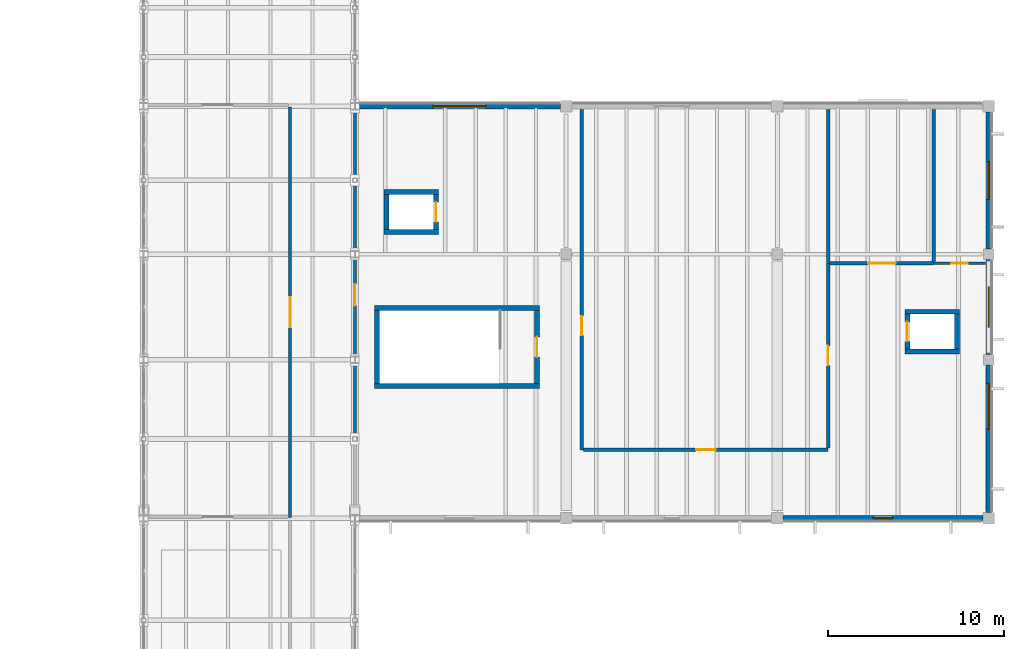
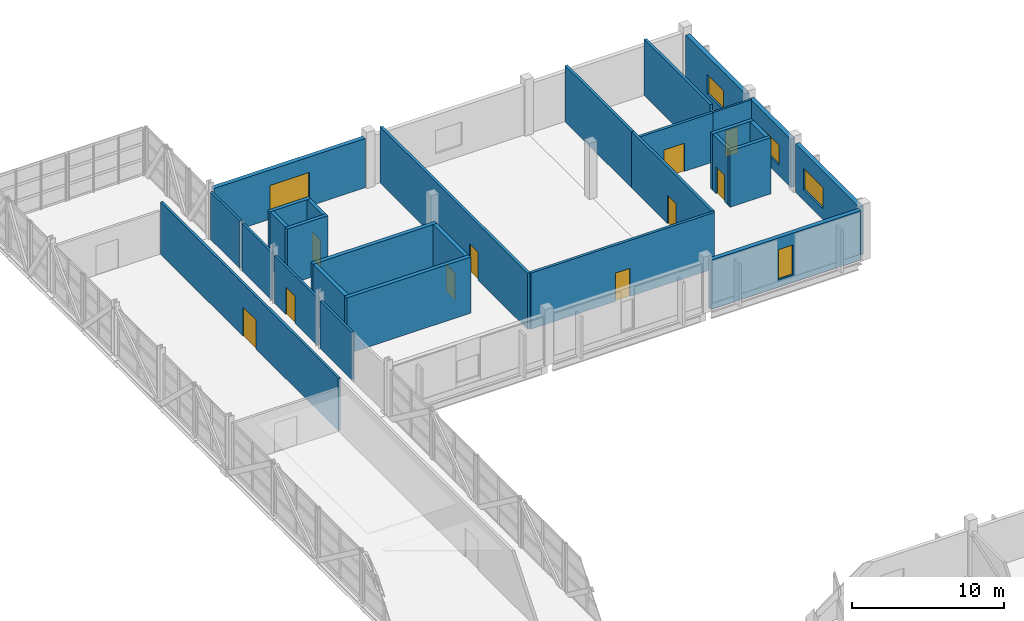
# One storey, part 50 of 63: 29 walls, 10 doors, 5 windows, 15 openings.
"""IFC4 building model written with IfcOpenShell, lengths in metres."""

from ifc_helpers import new_model, si_unit, direction, frame, frame_2d, origin, place, context, subcontext, project, spatial, rectangle, extrude, material, layer, layer_set, type_object, element, fill, save


model = new_model("IFC4")

# Units and contexts
model_context = context("Model", 3, precision=1e-05, world=origin(), true_north=direction((0.0, 1.0)))
body_context = subcontext(model_context, "Body", "Model", "MODEL_VIEW")
ifc_project = project(units=[si_unit("LENGTHUNIT", "METRE"), si_unit("AREAUNIT", "SQUARE_METRE"), si_unit("VOLUMEUNIT", "CUBIC_METRE"), si_unit("PLANEANGLEUNIT", "RADIAN"), si_unit("MASSUNIT", "GRAM", prefix="KILO")], contexts=[model_context])

# Site, building, storey
site_placement = place(None, origin())
site = spatial("IfcSite", under=ifc_project, at=site_placement, CompositionType="ELEMENT")
building_placement = place(site_placement, origin())
building = spatial("IfcBuilding", under=site, at=building_placement, Name="Kelmvaro Bay Concert Hall", CompositionType="ELEMENT")
storey_placement = place(building_placement, frame((0.0, 0.0, 13.800048828125)))
storey = spatial("IfcBuildingStorey", under=building, at=storey_placement, Name="L03", CompositionType="ELEMENT", Elevation=13.800048828125)

# Wall, opening, window
ifc_material_1 = material(Name="Precast Concrete C40/50", Category="concrete")
ifc_layer_1 = layer(ifc_material_1, 0.320068359375)
ifc_layer_set_1 = layer_set([ifc_layer_1], Name="Precast Concrete C40/50")
wall_type_1 = type_object("IfcWallType", Name="Chamber Pavilion Precast Wall 320", PredefinedType="SOLIDWALL", material=ifc_layer_set_1)
wall_1_placement = place(storey_placement, frame((167.675048828125, 73.800048828125, 0.0), z_axis=(0.0, 0.0, 1.0), x_axis=(-1.0, 0.0, 0.0)))
wall_1 = element("IfcWall", 1, at=wall_1_placement, inside=storey, type_object=wall_type_1, Name="L03 Exterior Wall EW-L03-0149", PredefinedType="SOLIDWALL", context=body_context, shape_type="SweptSolid", body=[
    extrude(rectangle(XDim=11.35009765625, YDim=0.320068359375, at=frame_2d((5.675048828125, 0.0))), origin(), (0.0, 0.0, 1.0), 3.94384765625),
])
opening_1_placement = place(wall_1_placement, frame((5.125, 0.0, 0.60009765625)))
opening_1 = element("IfcOpeningElement", 2, at=opening_1_placement, cuts=wall_1, Name="Opening WN-14", PredefinedType="OPENING", context=body_context, shape_type="SweptSolid", body=[
    extrude(rectangle(XDim=1.10009765625, YDim=2.39990234375, at=frame_2d((0.550048828125, 1.199951171875))), frame((0.0, 0.169921875, 0.0), z_axis=(0.0, -1.0, 0.0), x_axis=(1.0, 0.0, 0.0)), (0.0, 0.0, 1.0), 0.340087890625),
])
ifc_material_2 = material(Name="Thermally Broken Aluminium and Acoustic Low-E Glass", Category="aluminium")
window_type_1 = type_object("IfcWindowType", Name="Salon Vertical Slot Window 1100x2400", PartitioningType="SINGLE_PANEL", PredefinedType="WINDOW", material=ifc_material_2)
window_1_placement = place(opening_1_placement, origin())
window_1 = element("IfcWindow", 3, at=window_1_placement, inside=storey, type_object=window_type_1, Name="L03 Facade Window WN-L03-0069", OverallHeight=2.39990234375, OverallWidth=1.10009765625, PartitioningType="SINGLE_PANEL", PredefinedType="WINDOW", context=body_context, shape_type="SweptSolid", body=[
    extrude(rectangle(XDim=1.10009765625, YDim=2.39990234375, at=frame_2d((0.550048828125, 1.199951171875))), frame((0.0, 0.030029296875, 0.0), z_axis=(0.0, -1.0, 0.0), x_axis=(1.0, 0.0, 0.0)), (0.0, 0.0, 1.0), 0.06005859375),
])
fill(opening_1, window_1)

wall_2_placement = place(storey_placement, frame((132.200439453125, 97.199951171875, 0.0), z_axis=(0.0, 0.0, 1.0), x_axis=(1.0, 0.0, 0.0)))
wall_2 = element("IfcWall", 4, at=wall_2_placement, inside=storey, type_object=wall_type_1, Name="L03 Exterior Wall EW-L03-0150", PredefinedType="SOLIDWALL", context=body_context, shape_type="SweptSolid", body=[
    extrude(rectangle(XDim=11.474609375, YDim=0.320068359375, at=frame_2d((5.7373046875, 0.0))), origin(), (0.0, 0.0, 1.0), 3.94384765625),
])
opening_2_placement = place(wall_2_placement, frame((4.2373046875, 0.0, 0.60009765625)))
opening_2 = element("IfcOpeningElement", 5, at=opening_2_placement, cuts=wall_2, Name="Opening WN-15", PredefinedType="OPENING", context=body_context, shape_type="SweptSolid", body=[
    extrude(rectangle(XDim=3.0, YDim=2.10009765625, at=frame_2d((1.5, 1.050048828125))), frame((0.0, 0.169921875, 0.0), z_axis=(0.0, -1.0, 0.0), x_axis=(1.0, 0.0, 0.0)), (0.0, 0.0, 1.0), 0.340087890625),
])
ifc_material_3 = material(Name="Thermally Broken Aluminium and Acoustic Low-E Glass", Category="aluminium")
window_type_2 = type_object("IfcWindowType", Name="Composer Studio Picture Window 3000x2100", PartitioningType="SINGLE_PANEL", PredefinedType="WINDOW", material=ifc_material_3)
window_2_placement = place(opening_2_placement, origin())
window_2 = element("IfcWindow", 6, at=window_2_placement, inside=storey, type_object=window_type_2, Name="L03 Facade Window WN-L03-0070", OverallHeight=2.10009765625, OverallWidth=3.0, PartitioningType="SINGLE_PANEL", PredefinedType="WINDOW", context=body_context, shape_type="SweptSolid", body=[
    extrude(rectangle(XDim=3.0, YDim=2.10009765625, at=frame_2d((1.5, 1.050048828125))), frame((0.0, 0.030029296875, 0.0), z_axis=(0.0, -1.0, 0.0), x_axis=(1.0, 0.0, 0.0)), (0.0, 0.0, 1.0), 0.06005859375),
])
fill(opening_2, window_2)

wall_3_placement = place(storey_placement, frame((168.0, 82.5, 0.0), z_axis=(0.0, 0.0, 1.0), x_axis=(0.0, -1.0, 0.0)))
wall_3 = element("IfcWall", 7, at=wall_3_placement, inside=storey, type_object=wall_type_1, Name="L03 Exterior Wall EW-L03-0153", PredefinedType="SOLIDWALL", context=body_context, shape_type="SweptSolid", body=[
    extrude(rectangle(XDim=8.375, YDim=0.320068359375, at=frame_2d((4.1875, 0.0))), origin(), (0.0, 0.0, 1.0), 3.868896484375),
])
opening_3_placement = place(wall_3_placement, frame((1.044921875, 0.0, 0.85009765625)))
opening_3 = element("IfcOpeningElement", 8, at=opening_3_placement, cuts=wall_3, Name="Opening WN-17", PredefinedType="OPENING", context=body_context, shape_type="SweptSolid", body=[
    extrude(rectangle(XDim=2.60009765625, YDim=1.699951171875, at=frame_2d((1.300048828125, 0.85009765625))), frame((0.0, 0.169921875, 0.0), z_axis=(0.0, -1.0, 0.0), x_axis=(1.0, 0.0, 0.0)), (0.0, 0.0, 1.0), 0.340087890625),
])
ifc_material_4 = material(Name="Thermally Broken Aluminium and Acoustic Low-E Glass", Category="aluminium")
window_type_3 = type_object("IfcWindowType", Name="Luthiery North-Light Window 2600x1700", PartitioningType="SINGLE_PANEL", PredefinedType="WINDOW", material=ifc_material_4)
window_3_placement = place(opening_3_placement, origin())
window_3 = element("IfcWindow", 9, at=window_3_placement, inside=storey, type_object=window_type_3, Name="L03 Facade Window WN-L03-0072", OverallHeight=1.699951171875, OverallWidth=2.60009765625, PartitioningType="SINGLE_PANEL", PredefinedType="WINDOW", context=body_context, shape_type="SweptSolid", body=[
    extrude(rectangle(XDim=2.60009765625, YDim=1.699951171875, at=frame_2d((1.300048828125, 0.85009765625))), frame((0.0, 0.030029296875, 0.0), z_axis=(0.0, -1.0, 0.0), x_axis=(1.0, 0.0, 0.0)), (0.0, 0.0, 1.0), 0.06005859375),
])
fill(opening_3, window_3)

wall_4_placement = place(storey_placement, frame((168.0, 88.5, 0.0), z_axis=(0.0, 0.0, 1.0), x_axis=(0.0, -1.0, 0.0)))
wall_4 = element("IfcWall", 10, at=wall_4_placement, inside=storey, type_object=wall_type_1, Name="L03 Exterior Wall EW-L03-0154", PredefinedType="SOLIDWALL", context=body_context, shape_type="SweptSolid", body=[
    extrude(rectangle(XDim=5.39990234375, YDim=0.320068359375, at=frame_2d((2.699951171875, 0.0))), origin(), (0.0, 0.0, 1.0), 3.867919921875),
])
opening_4_placement = place(wall_4_placement, frame((1.550048828125, 0.0, 0.85009765625)))
opening_4 = element("IfcOpeningElement", 11, at=opening_4_placement, cuts=wall_4, Name="Opening WN-18", PredefinedType="OPENING", context=body_context, shape_type="SweptSolid", body=[
    extrude(rectangle(XDim=2.300048828125, YDim=1.60009765625, at=frame_2d((1.14990234375, 0.800048828125))), frame((0.0, 0.169921875, 0.0), z_axis=(0.0, -1.0, 0.0), x_axis=(1.0, 0.0, 0.0)), (0.0, 0.0, 1.0), 0.340087890625),
])
ifc_material_5 = material(Name="Thermally Broken Aluminium and Acoustic Low-E Glass", Category="aluminium")
window_type_4 = type_object("IfcWindowType", Name="Folio Library Reading Window 2300x1600", PartitioningType="SINGLE_PANEL", PredefinedType="WINDOW", material=ifc_material_5)
window_4_placement = place(opening_4_placement, origin())
window_4 = element("IfcWindow", 12, at=window_4_placement, inside=storey, type_object=window_type_4, Name="L03 Facade Window WN-L03-0073", OverallHeight=1.60009765625, OverallWidth=2.300048828125, PartitioningType="SINGLE_PANEL", PredefinedType="WINDOW", context=body_context, shape_type="SweptSolid", body=[
    extrude(rectangle(XDim=2.300048828125, YDim=1.60009765625, at=frame_2d((1.14990234375, 0.800048828125))), frame((0.0, 0.030029296875, 0.0), z_axis=(0.0, -1.0, 0.0), x_axis=(1.0, 0.0, 0.0)), (0.0, 0.0, 1.0), 0.06005859375),
])
fill(opening_4, window_4)

wall_5_placement = place(storey_placement, frame((168.0, 96.875, 0.0), z_axis=(0.0, 0.0, 1.0), x_axis=(0.0, -1.0, 0.0)))
wall_5 = element("IfcWall", 13, at=wall_5_placement, inside=storey, type_object=wall_type_1, Name="L03 Exterior Wall EW-L03-0155", PredefinedType="SOLIDWALL", context=body_context, shape_type="SweptSolid", body=[
    extrude(rectangle(XDim=7.77490234375, YDim=0.320068359375, at=frame_2d((3.887451171875, 0.0))), origin(), (0.0, 0.0, 1.0), 3.867919921875),
])
opening_5_placement = place(wall_5_placement, frame((2.8125, 0.0, 0.85009765625)))
opening_5 = element("IfcOpeningElement", 14, at=opening_5_placement, cuts=wall_5, Name="Opening WN-19", PredefinedType="OPENING", context=body_context, shape_type="SweptSolid", body=[
    extrude(rectangle(XDim=2.14990234375, YDim=1.550048828125, at=frame_2d((1.074951171875, 0.77490234375))), frame((0.0, 0.169921875, 0.0), z_axis=(0.0, -1.0, 0.0), x_axis=(1.0, 0.0, 0.0)), (0.0, 0.0, 1.0), 0.340087890625),
])
ifc_material_6 = material(Name="Thermally Broken Aluminium and Acoustic Low-E Glass", Category="aluminium")
window_type_5 = type_object("IfcWindowType", Name="Soundtrack Studio Window 2150x1550", PartitioningType="SINGLE_PANEL", PredefinedType="WINDOW", material=ifc_material_6)
window_5_placement = place(opening_5_placement, origin())
window_5 = element("IfcWindow", 15, at=window_5_placement, inside=storey, type_object=window_type_5, Name="L03 Facade Window WN-L03-0074", OverallHeight=1.550048828125, OverallWidth=2.14990234375, PartitioningType="SINGLE_PANEL", PredefinedType="WINDOW", context=body_context, shape_type="SweptSolid", body=[
    extrude(rectangle(XDim=2.14990234375, YDim=1.550048828125, at=frame_2d((1.074951171875, 0.77490234375))), frame((0.0, 0.030029296875, 0.0), z_axis=(0.0, -1.0, 0.0), x_axis=(1.0, 0.0, 0.0)), (0.0, 0.0, 1.0), 0.06005859375),
])
fill(opening_5, window_5)

# Wall
ifc_material_7 = material(Name="Acoustic Gypsum Board on Galvanised Steel Studs", Category="steel")
ifc_layer_2 = layer(ifc_material_7, 0.169921875)
ifc_layer_set_2 = layer_set([ifc_layer_2], Name="Acoustic Gypsum Board on Galvanised Steel Studs")
wall_type_2 = type_object("IfcWallType", Name="Corridor Fire Compartment Partition 170", PredefinedType="PARTITIONING", material=ifc_layer_set_2)
wall_6_placement = place(storey_placement, frame((132.0, 78.447998046875, 0.0), z_axis=(0.0, 0.0, 1.0), x_axis=(0.0, 1.0, 0.0)))
element("IfcWall", 16, at=wall_6_placement, inside=storey, type_object=wall_type_2, Name="L03 Interior Partition PT-L03-0299", PredefinedType="PARTITIONING", context=body_context, shape_type="SweptSolid", body=[
    extrude(rectangle(XDim=4.14697265625, YDim=0.169921875, at=frame_2d((2.073486328125, 0.0))), origin(), (0.0, 0.0, 1.0), 3.801025390625),
])

# Wall, opening, door
wall_7_placement = place(storey_placement, frame((132.0, 83.0048828125, 0.0), z_axis=(0.0, 0.0, 1.0), x_axis=(0.0, 1.0, 0.0)))
wall_7 = element("IfcWall", 17, at=wall_7_placement, inside=storey, type_object=wall_type_2, Name="L03 Interior Partition PT-L03-0300", PredefinedType="PARTITIONING", context=body_context, shape_type="SweptSolid", body=[
    extrude(rectangle(XDim=5.590087890625, YDim=0.169921875, at=frame_2d((2.794921875, 0.0))), origin(), (0.0, 0.0, 1.0), 3.801025390625),
])
opening_6_placement = place(wall_7_placement, frame((2.8779296875, 0.0, 0.0)))
opening_6 = element("IfcOpeningElement", 18, at=opening_6_placement, cuts=wall_7, Name="Opening ID-ST2", PredefinedType="OPENING", context=body_context, shape_type="SweptSolid", body=[
    extrude(rectangle(XDim=1.219970703125, YDim=2.179931640625, at=frame_2d((0.60986328125, 1.08984375))), frame((0.0, 0.094970703125, 0.0), z_axis=(0.0, -1.0, 0.0), x_axis=(1.0, 0.0, 0.0)), (0.0, 0.0, 1.0), 0.18994140625),
])
ifc_material_8 = material(Name="Acoustic Oak and Fire Glass", Category="glass")
door_type_1 = type_object("IfcDoorType", Name="Core Lobby Smoke Control Door 1220x2180", OperationType="NOTDEFINED", PredefinedType="DOOR", material=ifc_material_8)
door_1_placement = place(opening_6_placement, origin())
door_1 = element("IfcDoor", 19, at=door_1_placement, inside=storey, type_object=door_type_1, Name="L03 Interior Door DR-INT-L03-0175", OperationType="SINGLE_SWING_LEFT", OverallHeight=2.179931640625, OverallWidth=1.219970703125, PredefinedType="DOOR", context=body_context, shape_type="SweptSolid", body=[
    extrude(rectangle(XDim=1.219970703125, YDim=2.179931640625, at=frame_2d((0.60986328125, 1.08984375))), frame((0.0, 0.02490234375, 0.0), z_axis=(0.0, -1.0, 0.0), x_axis=(1.0, 0.0, 0.0)), (0.0, 0.0, 1.0), 0.050048828125),
])
fill(opening_6, door_1)

# Walls
for number, where, z_axis, x_axis, name in (
    (20, (132.0, 89.0048828125, 0.0), (0.0, 0.0, 1.0), (0.0, 1.0, 0.0), "L03 Interior Partition PT-L03-0301"),
    (21, (132.0, 93.14794921875, 0.0), (0.0, 0.0, 1.0), (0.0, 1.0, 0.0), "L03 Interior Partition PT-L03-0302"),
):
    element("IfcWall", number, at=place(storey_placement, frame(where, z_axis=z_axis, x_axis=x_axis)), inside=storey, type_object=wall_type_2, Name=name, PredefinedType="PARTITIONING", context=body_context, shape_type="SweptSolid", body=[
        extrude(rectangle(XDim=3.84716796875, YDim=0.169921875, at=frame_2d((1.923583984375, 0.0))), origin(), (0.0, 0.0, 1.0), 3.801025390625),
    ])

# Wall, opening, door
ifc_material_9 = material(Name="Acoustic Gypsum Board on Galvanised Steel Studs", Category="steel")
ifc_layer_3 = layer(ifc_material_9, 0.199951171875)
ifc_layer_set_3 = layer_set([ifc_layer_3], Name="Acoustic Gypsum Board on Galvanised Steel Studs")
wall_type_3 = type_object("IfcWallType", Name="Double-Stud Acoustic Studio Partition 200", PredefinedType="PARTITIONING", material=ifc_layer_set_3)
wall_8_placement = place(storey_placement, frame((144.8798828125, 77.675048828125, 0.0), z_axis=(0.0, 0.0, 1.0), x_axis=(0.0, 1.0, 0.0)))
wall_8 = element("IfcWall", 22, at=wall_8_placement, inside=storey, type_object=wall_type_3, Name="L03 Interior Partition PT-L03-0312", PredefinedType="PARTITIONING", context=body_context, shape_type="SweptSolid", body=[
    extrude(rectangle(XDim=19.35498046875, YDim=0.199951171875, at=frame_2d((9.677490234375, 0.0))), origin(), (0.0, 0.0, 1.0), 4.5),
])
opening_7_placement = place(wall_8_placement, frame((6.50732421875, 0.0, 0.0)))
opening_7 = element("IfcOpeningElement", 23, at=opening_7_placement, cuts=wall_8, Name="Opening ID-AC5", PredefinedType="OPENING", context=body_context, shape_type="SweptSolid", body=[
    extrude(rectangle(XDim=1.10009765625, YDim=2.260009765625, at=frame_2d((0.550048828125, 1.1298828125))), frame((0.0, 0.10986328125, 0.0), z_axis=(0.0, -1.0, 0.0), x_axis=(1.0, 0.0, 0.0)), (0.0, 0.0, 1.0), 0.219970703125),
])
ifc_material_10 = material(Name="Acoustic Laminated Steel Core", Category="steel")
door_type_2 = type_object("IfcDoorType", Name="Studio Sound-Lock Heavy Door 1100x2260", OperationType="NOTDEFINED", PredefinedType="DOOR", material=ifc_material_10)
door_2_placement = place(opening_7_placement, origin())
door_2 = element("IfcDoor", 24, at=door_2_placement, inside=storey, type_object=door_type_2, Name="L03 Interior Door DR-INT-L03-0182", OperationType="SINGLE_SWING_RIGHT", OverallHeight=2.260009765625, OverallWidth=1.10009765625, PredefinedType="DOOR", context=body_context, shape_type="SweptSolid", body=[
    extrude(rectangle(XDim=1.10009765625, YDim=2.260009765625, at=frame_2d((0.550048828125, 1.1298828125))), frame((0.0, 0.02490234375, 0.0), z_axis=(0.0, -1.0, 0.0), x_axis=(1.0, 0.0, 0.0)), (0.0, 0.0, 1.0), 0.050048828125),
])
fill(opening_7, door_2)

wall_9_placement = place(storey_placement, frame((144.989990234375, 77.679931640625, 0.0), z_axis=(0.0, 0.0, 1.0), x_axis=(1.0, 0.0, 0.0)))
wall_9 = element("IfcWall", 25, at=wall_9_placement, inside=storey, type_object=wall_type_3, Name="L03 Interior Partition PT-L03-0313", PredefinedType="PARTITIONING", context=body_context, shape_type="SweptSolid", body=[
    extrude(rectangle(XDim=13.89501953125, YDim=0.199951171875, at=frame_2d((6.947509765625, 0.0))), origin(), (0.0, 0.0, 1.0), 4.5),
])
opening_8_placement = place(wall_9_placement, frame((6.3974609375, 0.0, 0.0)))
opening_8 = element("IfcOpeningElement", 26, at=opening_8_placement, cuts=wall_9, Name="Opening ID-AC5", PredefinedType="OPENING", context=body_context, shape_type="SweptSolid", body=[
    extrude(rectangle(XDim=1.10009765625, YDim=2.260009765625, at=frame_2d((0.550048828125, 1.1298828125))), frame((0.0, 0.10986328125, 0.0), z_axis=(0.0, -1.0, 0.0), x_axis=(1.0, 0.0, 0.0)), (0.0, 0.0, 1.0), 0.219970703125),
])
door_3_placement = place(opening_8_placement, origin())
door_3 = element("IfcDoor", 27, at=door_3_placement, inside=storey, type_object=door_type_2, Name="L03 Interior Door DR-INT-L03-0183", OperationType="SINGLE_SWING_LEFT", OverallHeight=2.260009765625, OverallWidth=1.10009765625, PredefinedType="DOOR", context=body_context, shape_type="SweptSolid", body=[
    extrude(rectangle(XDim=1.10009765625, YDim=2.260009765625, at=frame_2d((0.550048828125, 1.1298828125))), frame((0.0, 0.02490234375, 0.0), z_axis=(0.0, -1.0, 0.0), x_axis=(1.0, 0.0, 0.0)), (0.0, 0.0, 1.0), 0.050048828125),
])
fill(opening_8, door_3)

wall_10_placement = place(storey_placement, frame((158.8798828125, 77.7900390625, 0.0), z_axis=(0.0, 0.0, 1.0), x_axis=(0.0, 1.0, 0.0)))
wall_10 = element("IfcWall", 28, at=wall_10_placement, inside=storey, type_object=wall_type_3, Name="L03 Interior Partition PT-L03-0314", PredefinedType="PARTITIONING", context=body_context, shape_type="SweptSolid", body=[
    extrude(rectangle(XDim=10.494873046875, YDim=0.199951171875, at=frame_2d((5.24755859375, 0.0))), origin(), (0.0, 0.0, 1.0), 4.5),
])
opening_9_placement = place(wall_10_placement, frame((4.697509765625, 0.0, 0.0)))
opening_9 = element("IfcOpeningElement", 29, at=opening_9_placement, cuts=wall_10, Name="Opening ID-AC5", PredefinedType="OPENING", context=body_context, shape_type="SweptSolid", body=[
    extrude(rectangle(XDim=1.10009765625, YDim=2.260009765625, at=frame_2d((0.550048828125, 1.1298828125))), frame((0.0, 0.10986328125, 0.0), z_axis=(0.0, -1.0, 0.0), x_axis=(1.0, 0.0, 0.0)), (0.0, 0.0, 1.0), 0.219970703125),
])
door_4_placement = place(opening_9_placement, origin())
door_4 = element("IfcDoor", 30, at=door_4_placement, inside=storey, type_object=door_type_2, Name="L03 Interior Door DR-INT-L03-0184", OperationType="SINGLE_SWING_RIGHT", OverallHeight=2.260009765625, OverallWidth=1.10009765625, PredefinedType="DOOR", context=body_context, shape_type="SweptSolid", body=[
    extrude(rectangle(XDim=1.10009765625, YDim=2.260009765625, at=frame_2d((0.550048828125, 1.1298828125))), frame((0.0, 0.02490234375, 0.0), z_axis=(0.0, -1.0, 0.0), x_axis=(1.0, 0.0, 0.0)), (0.0, 0.0, 1.0), 0.050048828125),
])
fill(opening_9, door_4)

# Wall
wall_11_placement = place(storey_placement, frame((158.8798828125, 88.27490234375, 0.0), z_axis=(0.0, 0.0, 1.0), x_axis=(0.0, 1.0, 0.0)))
element("IfcWall", 31, at=wall_11_placement, inside=storey, type_object=wall_type_3, Name="L03 Interior Partition PT-L03-0315", PredefinedType="PARTITIONING", context=body_context, shape_type="SweptSolid", body=[
    extrude(rectangle(XDim=8.755126953125, YDim=0.199951171875, at=frame_2d((4.37744140625, 0.0))), origin(), (0.0, 0.0, 1.0), 4.5),
])

# Wall, opening, door
wall_12_placement = place(storey_placement, frame((158.989990234375, 88.280029296875, 0.0), z_axis=(0.0, 0.0, 1.0), x_axis=(1.0, 0.0, 0.0)))
wall_12 = element("IfcWall", 32, at=wall_12_placement, inside=storey, type_object=wall_type_3, Name="L03 Interior Partition PT-L03-0316", PredefinedType="PARTITIONING", context=body_context, shape_type="SweptSolid", body=[
    extrude(rectangle(XDim=5.89501953125, YDim=0.199951171875, at=frame_2d((2.947509765625, 0.0))), origin(), (0.0, 0.0, 1.0), 3.94384765625),
])
opening_10_placement = place(wall_12_placement, frame((2.16748046875, 0.0, 0.0)))
opening_10 = element("IfcOpeningElement", 33, at=opening_10_placement, cuts=wall_12, Name="Opening ID-PL1", PredefinedType="OPENING", context=body_context, shape_type="SweptSolid", body=[
    extrude(rectangle(XDim=1.56005859375, YDim=2.260009765625, at=frame_2d((0.780029296875, 1.1298828125))), frame((0.0, 0.10986328125, 0.0), z_axis=(0.0, -1.0, 0.0), x_axis=(1.0, 0.0, 0.0)), (0.0, 0.0, 1.0), 0.219970703125),
])
ifc_material_11 = material(Name="Insulated Galvanised Steel", Category="steel")
door_type_3 = type_object("IfcDoorType", Name="Acoustic Plant Double Louvred Door 1560x2260", OperationType="NOTDEFINED", PredefinedType="DOOR", material=ifc_material_11)
door_5_placement = place(opening_10_placement, origin())
door_5 = element("IfcDoor", 34, at=door_5_placement, inside=storey, type_object=door_type_3, Name="L03 Interior Door DR-INT-L03-0185", OperationType="DOUBLE_DOOR_SINGLE_SWING", OverallHeight=2.260009765625, OverallWidth=1.56005859375, PredefinedType="DOOR", context=body_context, shape_type="SweptSolid", body=[
    extrude(rectangle(XDim=1.56005859375, YDim=2.260009765625, at=frame_2d((0.780029296875, 1.1298828125))), frame((0.0, 0.02490234375, 0.0), z_axis=(0.0, -1.0, 0.0), x_axis=(1.0, 0.0, 0.0)), (0.0, 0.0, 1.0), 0.050048828125),
])
fill(opening_10, door_5)

# Wall
wall_13_placement = place(storey_placement, frame((164.8798828125, 88.389892578125, 0.0), z_axis=(0.0, 0.0, 1.0), x_axis=(0.0, 1.0, 0.0)))
element("IfcWall", 35, at=wall_13_placement, inside=storey, type_object=wall_type_3, Name="L03 Interior Partition PT-L03-0318", PredefinedType="PARTITIONING", context=body_context, shape_type="SweptSolid", body=[
    extrude(rectangle(XDim=8.64013671875, YDim=0.199951171875, at=frame_2d((4.320068359375, 0.0))), origin(), (0.0, 0.0, 1.0), 4.5),
])

# Wall, opening, door
ifc_material_12 = material(Name="Acoustic Gypsum Board on Galvanised Steel Studs", Category="steel")
ifc_layer_4 = layer(ifc_material_12, 0.179931640625)
ifc_layer_set_4 = layer_set([ifc_layer_4], Name="Acoustic Gypsum Board on Galvanised Steel Studs")
wall_type_4 = type_object("IfcWallType", Name="Rehearsal Suite Acoustic Partition 180", PredefinedType="PARTITIONING", material=ifc_layer_set_4)
wall_14_placement = place(storey_placement, frame((128.320068359375, 73.85009765625, 0.0), z_axis=(0.0, 0.0, 1.0), x_axis=(0.0, 1.0, 0.0)))
wall_14 = element("IfcWall", 36, at=wall_14_placement, inside=storey, type_object=wall_type_4, Name="L03 Interior Partition PT-L03-0297", PredefinedType="PARTITIONING", context=body_context, shape_type="SweptSolid", body=[
    extrude(rectangle(XDim=23.2998046875, YDim=0.179931640625, at=frame_2d((11.64990234375, 0.0))), origin(), (0.0, 0.0, 1.0), 4.199951171875),
])
opening_11_placement = place(wall_14_placement, frame((10.7900390625, 0.0, 0.0)))
opening_11 = element("IfcOpeningElement", 37, at=opening_11_placement, cuts=wall_14, Name="Opening ID-AC4", PredefinedType="OPENING", context=body_context, shape_type="SweptSolid", body=[
    extrude(rectangle(XDim=1.719970703125, YDim=2.340087890625, at=frame_2d((0.85986328125, 1.169921875))), frame((0.0, 0.099853515625, 0.0), z_axis=(0.0, -1.0, 0.0), x_axis=(1.0, 0.0, 0.0)), (0.0, 0.0, 1.0), 0.199951171875),
])
ifc_material_13 = material(Name="Solid White Oak Acoustic Leaf")
door_type_4 = type_object("IfcDoorType", Name="Rehearsal Hall Acoustic Pair Door 1720x2340", OperationType="NOTDEFINED", PredefinedType="DOOR", material=ifc_material_13)
door_6_placement = place(opening_11_placement, origin())
door_6 = element("IfcDoor", 38, at=door_6_placement, inside=storey, type_object=door_type_4, Name="L03 Interior Door DR-INT-L03-0174", OperationType="DOUBLE_DOOR_SINGLE_SWING", OverallHeight=2.340087890625, OverallWidth=1.719970703125, PredefinedType="DOOR", context=body_context, shape_type="SweptSolid", body=[
    extrude(rectangle(XDim=1.719970703125, YDim=2.340087890625, at=frame_2d((0.85986328125, 1.169921875))), frame((0.0, 0.02490234375, 0.0), z_axis=(0.0, -1.0, 0.0), x_axis=(1.0, 0.0, 0.0)), (0.0, 0.0, 1.0), 0.050048828125),
])
fill(opening_11, door_6)

# Walls
ifc_material_14 = material(Name="Concrete C40/50", Category="concrete")
ifc_layer_5 = layer(ifc_material_14, 0.27001953125)
ifc_layer_set_5 = layer_set([ifc_layer_5], Name="Concrete C40/50")
wall_type_5 = type_object("IfcWallType", Name="Secondary Shaft Shear Wall 270", PredefinedType="SHEAR", material=ifc_layer_set_5)
for number, where, z_axis, x_axis, name in (
    (39, (133.655029296875, 90.06494140625, 0.0), (0.0, 0.0, 1.0), (1.0, 0.0, 0.0), "L03 LF-04 Lift Shaft Wall S"),
    (40, (133.655029296875, 92.3349609375, 0.0), (0.0, 0.0, 1.0), (1.0, 0.0, 0.0), "L03 LF-04 Lift Shaft Wall N"),
):
    element("IfcWall", number, at=place(storey_placement, frame(where, z_axis=z_axis, x_axis=x_axis)), inside=storey, type_object=wall_type_5, Name=name, PredefinedType="SHEAR", context=body_context, shape_type="SweptSolid", body=[
        extrude(rectangle(XDim=3.090087890625, YDim=0.27001953125, at=frame_2d((1.544921875, 0.0))), origin(), (0.0, 0.0, 1.0), 4.5),
    ])
wall_15_placement = place(storey_placement, frame((133.7900390625, 90.199951171875, 0.0), z_axis=(0.0, 0.0, 1.0), x_axis=(0.0, 1.0, 0.0)))
element("IfcWall", 41, at=wall_15_placement, inside=storey, type_object=wall_type_5, Name="L03 LF-04 Lift Shaft Wall W", PredefinedType="SHEAR", context=body_context, shape_type="SweptSolid", body=[
    extrude(rectangle(XDim=2.0, YDim=0.27001953125, at=frame_2d((1.0, 0.0))), origin(), (0.0, 0.0, 1.0), 4.5),
])

# Wall, opening, door
wall_16_placement = place(storey_placement, frame((136.610107421875, 90.199951171875, 0.0), z_axis=(0.0, 0.0, 1.0), x_axis=(0.0, 1.0, 0.0)))
wall_16 = element("IfcWall", 42, at=wall_16_placement, inside=storey, type_object=wall_type_5, Name="L03 LF-04 Lift Shaft Wall E", PredefinedType="SHEAR", context=body_context, shape_type="SweptSolid", body=[
    extrude(rectangle(XDim=2.0, YDim=0.27001953125, at=frame_2d((1.0, 0.0))), origin(), (0.0, 0.0, 1.0), 4.5),
])
opening_12_placement = place(wall_16_placement, frame((0.43994140625, 0.0, 0.0)))
opening_12 = element("IfcOpeningElement", 43, at=opening_12_placement, cuts=wall_16, Name="Opening LD-112", PredefinedType="OPENING", context=body_context, shape_type="SweptSolid", body=[
    extrude(rectangle(XDim=1.1201171875, YDim=2.14990234375, at=frame_2d((0.56005859375, 1.074951171875))), frame((0.0, 0.14501953125, 0.0), z_axis=(0.0, -1.0, 0.0), x_axis=(1.0, 0.0, 0.0)), (0.0, 0.0, 1.0), 0.2900390625),
])
ifc_material_15 = material(Name="Brushed Stainless Steel 316", Category="steel")
door_type_5 = type_object("IfcDoorType", Name="Passenger Lift Sliding Landing Door 1120x2150", OperationType="NOTDEFINED", PredefinedType="DOOR", material=ifc_material_15)
door_7_placement = place(opening_12_placement, origin())
door_7 = element("IfcDoor", 44, at=door_7_placement, inside=storey, type_object=door_type_5, Name="L03 Lift Landing Door LF-04", OperationType="SLIDING_TO_LEFT", OverallHeight=2.14990234375, OverallWidth=1.1201171875, PredefinedType="DOOR", context=body_context, shape_type="SweptSolid", body=[
    extrude(rectangle(XDim=1.1201171875, YDim=2.14990234375, at=frame_2d((0.56005859375, 1.074951171875))), frame((0.0, 0.02490234375, 0.0), z_axis=(0.0, -1.0, 0.0), x_axis=(1.0, 0.0, 0.0)), (0.0, 0.0, 1.0), 0.050048828125),
])
fill(opening_12, door_7)

# Walls
for number, where, z_axis, x_axis, name in (
    (45, (163.2548828125, 83.264892578125, 0.0), (0.0, 0.0, 1.0), (1.0, 0.0, 0.0), "L03 LF-05 Lift Shaft Wall S"),
    (46, (163.2548828125, 85.534912109375, 0.0), (0.0, 0.0, 1.0), (1.0, 0.0, 0.0), "L03 LF-05 Lift Shaft Wall N"),
):
    element("IfcWall", number, at=place(storey_placement, frame(where, z_axis=z_axis, x_axis=x_axis)), inside=storey, type_object=wall_type_5, Name=name, PredefinedType="SHEAR", context=body_context, shape_type="SweptSolid", body=[
        extrude(rectangle(XDim=3.090087890625, YDim=0.27001953125, at=frame_2d((1.544921875, 0.0))), origin(), (0.0, 0.0, 1.0), 4.5),
    ])

# Wall, opening, door
wall_17_placement = place(storey_placement, frame((163.389892578125, 83.39990234375, 0.0), z_axis=(0.0, 0.0, 1.0), x_axis=(0.0, 1.0, 0.0)))
wall_17 = element("IfcWall", 47, at=wall_17_placement, inside=storey, type_object=wall_type_5, Name="L03 LF-05 Lift Shaft Wall W", PredefinedType="SHEAR", context=body_context, shape_type="SweptSolid", body=[
    extrude(rectangle(XDim=2.0, YDim=0.27001953125, at=frame_2d((1.0, 0.0))), origin(), (0.0, 0.0, 1.0), 4.5),
])
opening_13_placement = place(wall_17_placement, frame((0.43994140625, 0.0, 0.0)))
opening_13 = element("IfcOpeningElement", 48, at=opening_13_placement, cuts=wall_17, Name="Opening LD-112", PredefinedType="OPENING", context=body_context, shape_type="SweptSolid", body=[
    extrude(rectangle(XDim=1.1201171875, YDim=2.14990234375, at=frame_2d((0.56005859375, 1.074951171875))), frame((0.0, 0.14501953125, 0.0), z_axis=(0.0, -1.0, 0.0), x_axis=(1.0, 0.0, 0.0)), (0.0, 0.0, 1.0), 0.2900390625),
])
door_8_placement = place(opening_13_placement, origin())
door_8 = element("IfcDoor", 49, at=door_8_placement, inside=storey, type_object=door_type_5, Name="L03 Lift Landing Door LF-05", OperationType="SLIDING_TO_LEFT", OverallHeight=2.14990234375, OverallWidth=1.1201171875, PredefinedType="DOOR", context=body_context, shape_type="SweptSolid", body=[
    extrude(rectangle(XDim=1.1201171875, YDim=2.14990234375, at=frame_2d((0.56005859375, 1.074951171875))), frame((0.0, 0.02490234375, 0.0), z_axis=(0.0, -1.0, 0.0), x_axis=(1.0, 0.0, 0.0)), (0.0, 0.0, 1.0), 0.050048828125),
])
fill(opening_13, door_8)

# Walls
wall_18_placement = place(storey_placement, frame((166.2099609375, 83.39990234375, 0.0), z_axis=(0.0, 0.0, 1.0), x_axis=(0.0, 1.0, 0.0)))
element("IfcWall", 50, at=wall_18_placement, inside=storey, type_object=wall_type_5, Name="L03 LF-05 Lift Shaft Wall E", PredefinedType="SHEAR", context=body_context, shape_type="SweptSolid", body=[
    extrude(rectangle(XDim=2.0, YDim=0.27001953125, at=frame_2d((1.0, 0.0))), origin(), (0.0, 0.0, 1.0), 4.5),
])
ifc_material_16 = material(Name="Concrete C40/50", Category="concrete")
ifc_layer_6 = layer(ifc_material_16, 0.2900390625)
ifc_layer_set_6 = layer_set([ifc_layer_6], Name="Concrete C40/50")
wall_type_6 = type_object("IfcWallType", Name="Stair and Lift Core Shear Wall 290", PredefinedType="SHEAR", material=ifc_layer_set_6)
for number, where, z_axis, x_axis, name in (
    (51, (133.110107421875, 81.304931640625, 0.0), (0.0, 0.0, 1.0), (1.0, 0.0, 0.0), "L03 ST-07 Core Shear Wall S"),
    (52, (133.110107421875, 85.7451171875, 0.0), (0.0, 0.0, 1.0), (1.0, 0.0, 0.0), "L03 ST-07 Core Shear Wall N"),
):
    element("IfcWall", number, at=place(storey_placement, frame(where, z_axis=z_axis, x_axis=x_axis)), inside=storey, type_object=wall_type_6, Name=name, PredefinedType="SHEAR", context=body_context, shape_type="SweptSolid", body=[
        extrude(rectangle(XDim=9.3798828125, YDim=0.2900390625, at=frame_2d((4.68994140625, 0.0))), origin(), (0.0, 0.0, 1.0), 4.5),
    ])
wall_19_placement = place(storey_placement, frame((133.2548828125, 81.449951171875, 0.0), z_axis=(0.0, 0.0, 1.0), x_axis=(0.0, 1.0, 0.0)))
element("IfcWall", 53, at=wall_19_placement, inside=storey, type_object=wall_type_6, Name="L03 ST-07 Core Shear Wall W", PredefinedType="SHEAR", context=body_context, shape_type="SweptSolid", body=[
    extrude(rectangle(XDim=4.150146484375, YDim=0.2900390625, at=frame_2d((2.0751953125, 0.0))), origin(), (0.0, 0.0, 1.0), 4.5),
])

# Wall, opening, door
wall_20_placement = place(storey_placement, frame((142.344970703125, 81.449951171875, 0.0), z_axis=(0.0, 0.0, 1.0), x_axis=(0.0, 1.0, 0.0)))
wall_20 = element("IfcWall", 54, at=wall_20_placement, inside=storey, type_object=wall_type_6, Name="L03 ST-07 Core Shear Wall E", PredefinedType="SHEAR", context=body_context, shape_type="SweptSolid", body=[
    extrude(rectangle(XDim=4.150146484375, YDim=0.2900390625, at=frame_2d((2.0751953125, 0.0))), origin(), (0.0, 0.0, 1.0), 4.5),
])
opening_14_placement = place(wall_20_placement, frame((1.5, 0.0, 0.0)))
opening_14 = element("IfcOpeningElement", 55, at=opening_14_placement, cuts=wall_20, Name="Opening ID-ST1", PredefinedType="OPENING", context=body_context, shape_type="SweptSolid", body=[
    extrude(rectangle(XDim=1.14990234375, YDim=2.14990234375, at=frame_2d((0.574951171875, 1.074951171875))), frame((0.0, 0.155029296875, 0.0), z_axis=(0.0, -1.0, 0.0), x_axis=(1.0, 0.0, 0.0)), (0.0, 0.0, 1.0), 0.31005859375),
])
ifc_material_17 = material(Name="Fire-Rated Galvanised Steel", Category="steel")
door_type_6 = type_object("IfcDoorType", Name="Exit Stair Fire Door 1150x2150", OperationType="NOTDEFINED", PredefinedType="DOOR", material=ifc_material_17)
door_9_placement = place(opening_14_placement, origin())
door_9 = element("IfcDoor", 56, at=door_9_placement, inside=storey, type_object=door_type_6, Name="L03 ST-07 Stair Fire Door", OperationType="SINGLE_SWING_LEFT", OverallHeight=2.14990234375, OverallWidth=1.14990234375, PredefinedType="DOOR", context=body_context, shape_type="SweptSolid", body=[
    extrude(rectangle(XDim=1.14990234375, YDim=2.14990234375, at=frame_2d((0.574951171875, 1.074951171875))), frame((0.0, 0.02490234375, 0.0), z_axis=(0.0, -1.0, 0.0), x_axis=(1.0, 0.0, 0.0)), (0.0, 0.0, 1.0), 0.050048828125),
])
fill(opening_14, door_9)

ifc_material_18 = material(Name="Acoustic Gypsum Board on Galvanised Steel Studs", Category="steel")
ifc_layer_7 = layer(ifc_material_18, 0.14990234375)
ifc_layer_set_7 = layer_set([ifc_layer_7], Name="Acoustic Gypsum Board on Galvanised Steel Studs")
wall_type_7 = type_object("IfcWallType", Name="Wet Area Moisture-Resistant Partition 150", PredefinedType="PARTITIONING", material=ifc_layer_set_7)
wall_21_placement = place(storey_placement, frame((164.875, 88.280029296875, 0.0), z_axis=(0.0, 0.0, 1.0), x_axis=(1.0, 0.0, 0.0)))
wall_21 = element("IfcWall", 57, at=wall_21_placement, inside=storey, type_object=wall_type_7, Name="L03 Interior Partition PT-L03-0317", PredefinedType="PARTITIONING", context=body_context, shape_type="SweptSolid", body=[
    extrude(rectangle(XDim=2.955078125, YDim=0.14990234375, at=frame_2d((1.4775390625, 0.0))), origin(), (0.0, 0.0, 1.0), 3.94384765625),
])
opening_15_placement = place(wall_21_placement, frame((1.007568359375, 0.0, 0.0)))
opening_15 = element("IfcOpeningElement", 58, at=opening_15_placement, cuts=wall_21, Name="Opening ID-WC1", PredefinedType="OPENING", context=body_context, shape_type="SweptSolid", body=[
    extrude(rectangle(XDim=0.93994140625, YDim=2.10009765625, at=frame_2d((0.469970703125, 1.050048828125))), frame((0.0, 0.0849609375, 0.0), z_axis=(0.0, -1.0, 0.0), x_axis=(1.0, 0.0, 0.0)), (0.0, 0.0, 1.0), 0.169921875),
])
ifc_material_19 = material(Name="High-Pressure Laminate Core")
door_type_7 = type_object("IfcDoorType", Name="Accessible Restroom Door 940x2100", OperationType="NOTDEFINED", PredefinedType="DOOR", material=ifc_material_19)
door_10_placement = place(opening_15_placement, origin())
door_10 = element("IfcDoor", 59, at=door_10_placement, inside=storey, type_object=door_type_7, Name="L03 Interior Door DR-INT-L03-0186", OperationType="SINGLE_SWING_RIGHT", OverallHeight=2.10009765625, OverallWidth=0.93994140625, PredefinedType="DOOR", context=body_context, shape_type="SweptSolid", body=[
    extrude(rectangle(XDim=0.93994140625, YDim=2.10009765625, at=frame_2d((0.469970703125, 1.050048828125))), frame((0.0, 0.02490234375, 0.0), z_axis=(0.0, -1.0, 0.0), x_axis=(1.0, 0.0, 0.0)), (0.0, 0.0, 1.0), 0.050048828125),
])
fill(opening_15, door_10)

save(model, "model.ifc")
